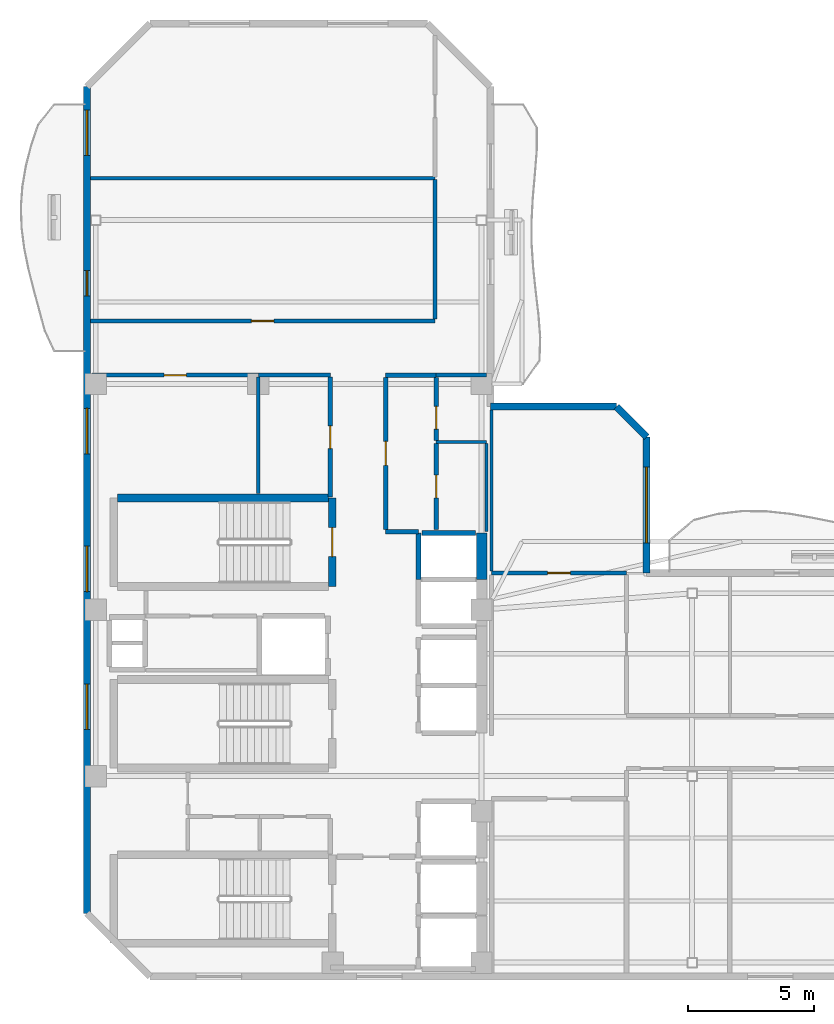
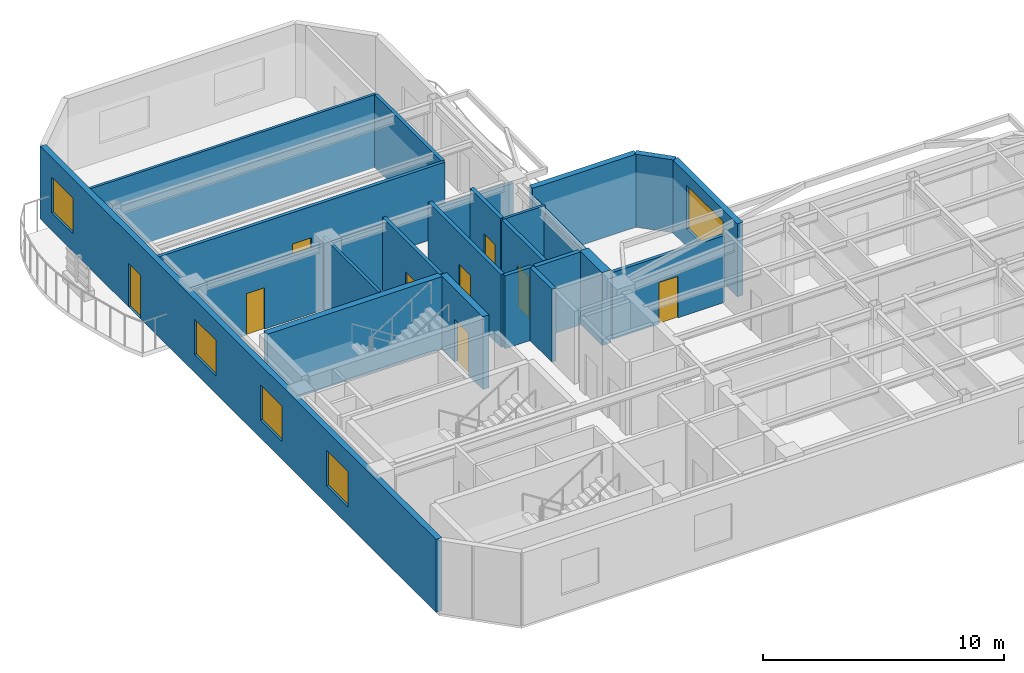
# One storey, part 4 of 8: 26 walls, 9 doors, 5 windows, 14 openings.
"""IFC4 building model written with IfcOpenShell, lengths in metres."""

from ifc_helpers import new_model, si_unit, direction, frame, frame_2d, origin, place, context, subcontext, project, spatial, rectangle, extrude, material, layer, layer_set, type_object, element, fill, save


model = new_model("IFC4")

# Units and contexts
model_context = context("Model", 3, precision=1e-05, world=origin(), true_north=direction((0.0, 1.0)))
body_context = subcontext(model_context, "Body", "Model", "MODEL_VIEW")
ifc_project = project(units=[si_unit("LENGTHUNIT", "METRE"), si_unit("AREAUNIT", "SQUARE_METRE"), si_unit("VOLUMEUNIT", "CUBIC_METRE"), si_unit("PLANEANGLEUNIT", "RADIAN"), si_unit("MASSUNIT", "GRAM", prefix="KILO")], contexts=[model_context])

# Site, building, storey
site_placement = place(None, origin())
site = spatial("IfcSite", under=ifc_project, at=site_placement, CompositionType="ELEMENT")
building_placement = place(site_placement, origin())
building = spatial("IfcBuilding", under=site, at=building_placement, Name="Mawjaban Terraces University", CompositionType="ELEMENT")
storey_placement = place(building_placement, frame((0.0, 0.0, 271.60009765625)))
storey = spatial("IfcBuildingStorey", under=building, at=storey_placement, Name="L66", CompositionType="ELEMENT", Elevation=271.60009765625)

# Walls
ifc_material_1 = material(Name="Acoustic masonry blockwork", Category="masonry")
ifc_layer_1 = layer(ifc_material_1, 0.179931640625)
ifc_layer_set_1 = layer_set([ifc_layer_1], Name="Acoustic masonry blockwork")
wall_type_1 = type_object("IfcWallType", Name="AcousticStudioWall_180", PredefinedType="PARTITIONING", material=ifc_layer_set_1)
wall_1_placement = place(storey_placement, frame((33.85009765625, 17.64990234375, 0.0), z_axis=(0.0, 0.0, 1.0), x_axis=(1.0, 0.0, 0.0)))
element("IfcWall", 1, at=wall_1_placement, inside=storey, type_object=wall_type_1, Name="L66 Graduate Research Collaboration Studio Partition 8", PredefinedType="PARTITIONING", context=body_context, shape_type="SweptSolid", body=[
    extrude(rectangle(XDim=1.2998046875, YDim=0.179931640625, at=frame_2d((0.64990234375, 0.0))), origin(), (0.0, 0.0, 1.0), 3.68994140625),
])
wall_2_placement = place(storey_placement, frame((35.85009765625, 23.85009765625, 0.0), z_axis=(0.0, 0.0, 1.0), x_axis=(-1.0, 0.0, 0.0)))
element("IfcWall", 2, at=wall_2_placement, inside=storey, type_object=wall_type_1, Name="L66 Graduate Research Collaboration Studio Partition 13", PredefinedType="PARTITIONING", context=body_context, shape_type="SweptSolid", body=[
    extrude(rectangle(XDim=2.0, YDim=0.179931640625, at=frame_2d((1.0, 0.0))), origin(), (0.0, 0.0, 1.0), 3.220947265625),
])

# Wall, opening, door
wall_3_placement = place(storey_placement, frame((33.85009765625, 17.735107421875, 0.0), z_axis=(0.0, 0.0, 1.0), x_axis=(0.0, 1.0, 0.0)))
wall_3 = element("IfcWall", 3, at=wall_3_placement, inside=storey, type_object=wall_type_1, Name="L66 Core North Lift Lobby Partition 32", PredefinedType="PARTITIONING", context=body_context, shape_type="SweptSolid", body=[
    extrude(rectangle(XDim=6.02978515625, YDim=0.179931640625, at=frame_2d((3.014892578125, 0.0))), origin(), (0.0, 0.0, 1.0), 3.68994140625),
])
opening_1_placement = place(wall_3_placement, frame((2.5400390625, 0.0, 0.0)))
opening_1 = element("IfcOpeningElement", 4, at=opening_1_placement, cuts=wall_3, Name="Opening ID-095", PredefinedType="OPENING", context=body_context, shape_type="SweptSolid", body=[
    extrude(rectangle(XDim=0.949951171875, YDim=2.10009765625, at=frame_2d((0.47509765625, 1.050048828125))), frame((0.0, 0.099853515625, 0.0), z_axis=(0.0, -1.0, 0.0), x_axis=(1.0, 0.0, 0.0)), (0.0, 0.0, 1.0), 0.199951171875),
])
ifc_material_2 = material(Name="Powder-coated steel frame and solid acoustic timber leaf", Category="steel")
door_type_1 = type_object("IfcDoorType", Name="StudioDoor_950x2100", OperationType="NOTDEFINED", PredefinedType="DOOR", material=ifc_material_2)
door_1_placement = place(opening_1_placement, origin())
door_1 = element("IfcDoor", 5, at=door_1_placement, inside=storey, type_object=door_type_1, Name="L66 Graduate Research Collaboration Studio Door", OperationType="SINGLE_SWING_RIGHT", OverallHeight=2.10009765625, OverallWidth=0.949951171875, PredefinedType="DOOR", context=body_context, shape_type="SweptSolid", body=[
    extrude(rectangle(XDim=0.949951171875, YDim=2.10009765625, at=frame_2d((0.47509765625, 1.050048828125))), frame((0.0, 0.02490234375, 0.0), z_axis=(0.0, -1.0, 0.0), x_axis=(1.0, 0.0, 0.0)), (0.0, 0.0, 1.0), 0.050048828125),
])
fill(opening_1, door_1)

wall_4_placement = place(storey_placement, frame((35.85009765625, 17.72998046875, 0.0), z_axis=(0.0, 0.0, 1.0), x_axis=(0.0, 1.0, 0.0)))
wall_4 = element("IfcWall", 6, at=wall_4_placement, inside=storey, type_object=wall_type_1, Name="L66 Graduate Research Collaboration Studio Partition 35", PredefinedType="PARTITIONING", context=body_context, shape_type="SweptSolid", body=[
    extrude(rectangle(XDim=3.412109375, YDim=0.179931640625, at=frame_2d((1.7060546875, 0.0))), origin(), (0.0, 0.0, 1.0), 3.68994140625),
])
opening_2_placement = place(wall_4_placement, frame((1.256103515625, 0.0, 0.0)))
opening_2 = element("IfcOpeningElement", 7, at=opening_2_placement, cuts=wall_4, Name="Opening ID-090", PredefinedType="OPENING", context=body_context, shape_type="SweptSolid", body=[
    extrude(rectangle(XDim=0.89990234375, YDim=2.10009765625, at=frame_2d((0.449951171875, 1.050048828125))), frame((0.0, 0.099853515625, 0.0), z_axis=(0.0, -1.0, 0.0), x_axis=(1.0, 0.0, 0.0)), (0.0, 0.0, 1.0), 0.199951171875),
])
door_type_2 = type_object("IfcDoorType", Name="OfficeDoor_900x2100", OperationType="NOTDEFINED", PredefinedType="DOOR", material=ifc_material_2)
door_2_placement = place(opening_2_placement, origin())
door_2 = element("IfcDoor", 8, at=door_2_placement, inside=storey, type_object=door_type_2, Name="L66 Research Instrument Store Door", OperationType="SINGLE_SWING_RIGHT", OverallHeight=2.10009765625, OverallWidth=0.89990234375, PredefinedType="DOOR", context=body_context, shape_type="SweptSolid", body=[
    extrude(rectangle(XDim=0.89990234375, YDim=2.10009765625, at=frame_2d((0.449951171875, 1.050048828125))), frame((0.0, 0.02490234375, 0.0), z_axis=(0.0, -1.0, 0.0), x_axis=(1.0, 0.0, 0.0)), (0.0, 0.0, 1.0), 0.050048828125),
])
fill(opening_2, door_2)

wall_5_placement = place(storey_placement, frame((35.85009765625, 21.258056640625, 0.0), z_axis=(0.0, 0.0, 1.0), x_axis=(0.0, 1.0, 0.0)))
wall_5 = element("IfcWall", 9, at=wall_5_placement, inside=storey, type_object=wall_type_1, Name="L66 Graduate Research Collaboration Studio Partition 36", PredefinedType="PARTITIONING", context=body_context, shape_type="SweptSolid", body=[
    extrude(rectangle(XDim=2.5068359375, YDim=0.179931640625, at=frame_2d((1.25341796875, 0.0))), origin(), (0.0, 0.0, 1.0), 3.68994140625),
])
opening_3_placement = place(wall_5_placement, frame((0.4541015625, 0.0, 0.0)))
opening_3 = element("IfcOpeningElement", 10, at=opening_3_placement, cuts=wall_5, Name="Opening ID-090", PredefinedType="OPENING", context=body_context, shape_type="SweptSolid", body=[
    extrude(rectangle(XDim=0.89990234375, YDim=2.10009765625, at=frame_2d((0.449951171875, 1.050048828125))), frame((0.0, 0.099853515625, 0.0), z_axis=(0.0, -1.0, 0.0), x_axis=(1.0, 0.0, 0.0)), (0.0, 0.0, 1.0), 0.199951171875),
])
door_3_placement = place(opening_3_placement, origin())
door_3 = element("IfcDoor", 11, at=door_3_placement, inside=storey, type_object=door_type_2, Name="L66 Graduate Quiet Study Alcove Door", OperationType="SINGLE_SWING_LEFT", OverallHeight=2.10009765625, OverallWidth=0.89990234375, PredefinedType="DOOR", context=body_context, shape_type="SweptSolid", body=[
    extrude(rectangle(XDim=0.89990234375, YDim=2.10009765625, at=frame_2d((0.449951171875, 1.050048828125))), frame((0.0, 0.02490234375, 0.0), z_axis=(0.0, -1.0, 0.0), x_axis=(1.0, 0.0, 0.0)), (0.0, 0.0, 1.0), 0.050048828125),
])
fill(opening_3, door_3)

# Wall
ifc_material_3 = material(Name="Concrete C50/60", Category="concrete")
ifc_layer_2 = layer(ifc_material_3, 0.419921875)
ifc_layer_set_2 = layer_set([ifc_layer_2], Name="Concrete C50/60")
wall_type_2 = type_object("IfcWallType", Name="CoreShearWall_420", PredefinedType="SHEAR", material=ifc_layer_set_2)
wall_6_placement = place(storey_placement, frame((37.659912109375, 15.75, 0.0), z_axis=(0.0, 0.0, 1.0), x_axis=(0.0, 1.0, 0.0)))
element("IfcWall", 12, at=wall_6_placement, inside=storey, type_object=wall_type_2, Name="L66 Lift OL-2 Hoistway Wall East", PredefinedType="SHEAR", context=body_context, shape_type="SweptSolid", body=[
    extrude(rectangle(XDim=1.85009765625, YDim=0.419921875, at=frame_2d((0.925048828125, 0.0))), origin(), (0.0, 0.0, 1.0), 3.68994140625),
])

# Wall, opening, door
ifc_material_4 = material(Name="Fire-rated gypsum board on steel stud", Category="steel")
ifc_layer_3 = layer(ifc_material_4, 0.159912109375)
ifc_layer_set_3 = layer_set([ifc_layer_3], Name="Fire-rated gypsum board on steel stud")
wall_type_3 = type_object("IfcWallType", Name="CorridorPartition_160", PredefinedType="PARTITIONING", material=ifc_layer_set_3)
wall_7_placement = place(storey_placement, frame((28.800048828125, 23.85009765625, 0.0), z_axis=(0.0, 0.0, 1.0), x_axis=(-1.0, 0.0, 0.0)))
wall_7 = element("IfcWall", 13, at=wall_7_placement, inside=storey, type_object=wall_type_3, Name="L66 Female Toilet Partition 4", PredefinedType="PARTITIONING", context=body_context, shape_type="SweptSolid", body=[
    extrude(rectangle(XDim=6.60009765625, YDim=0.159912109375, at=frame_2d((3.300048828125, 0.0))), origin(), (0.0, 0.0, 1.0), 3.220947265625),
])
opening_4_placement = place(wall_7_placement, frame((2.860107421875, 0.0, 0.0)))
opening_4 = element("IfcOpeningElement", 14, at=opening_4_placement, cuts=wall_7, Name="Opening ID-088", PredefinedType="OPENING", context=body_context, shape_type="SweptSolid", body=[
    extrude(rectangle(XDim=0.8798828125, YDim=2.10009765625, at=frame_2d((0.43994140625, 1.050048828125))), frame((0.0, 0.08984375, 0.0), z_axis=(0.0, -1.0, 0.0), x_axis=(1.0, 0.0, 0.0)), (0.0, 0.0, 1.0), 0.179931640625),
])
door_type_3 = type_object("IfcDoorType", Name="ToiletDoor_880x2100", OperationType="NOTDEFINED", PredefinedType="DOOR", material=ifc_material_2)
door_4_placement = place(opening_4_placement, origin())
door_4 = element("IfcDoor", 15, at=door_4_placement, inside=storey, type_object=door_type_3, Name="L66 Female Toilet Door", OperationType="SINGLE_SWING_RIGHT", OverallHeight=2.10009765625, OverallWidth=0.8798828125, PredefinedType="DOOR", context=body_context, shape_type="SweptSolid", body=[
    extrude(rectangle(XDim=0.8798828125, YDim=2.10009765625, at=frame_2d((0.43994140625, 1.050048828125))), frame((0.0, 0.02490234375, 0.0), z_axis=(0.0, -1.0, 0.0), x_axis=(1.0, 0.0, 0.0)), (0.0, 0.0, 1.0), 0.050048828125),
])
fill(opening_4, door_4)

# Wall
wall_8_placement = place(storey_placement, frame((31.64990234375, 23.85009765625, 0.0), z_axis=(0.0, 0.0, 1.0), x_axis=(-1.0, 0.0, 0.0)))
element("IfcWall", 16, at=wall_8_placement, inside=storey, type_object=wall_type_3, Name="L66 Faculty Academic Resource Office Partition 7", PredefinedType="PARTITIONING", context=body_context, shape_type="SweptSolid", body=[
    extrude(rectangle(XDim=2.849853515625, YDim=0.159912109375, at=frame_2d((1.4248046875, 0.0))), origin(), (0.0, 0.0, 1.0), 3.220947265625),
])

# Wall, opening, door
wall_9_placement = place(storey_placement, frame((35.800048828125, 26.0, 0.0), z_axis=(0.0, 0.0, 1.0), x_axis=(-1.0, 0.0, 0.0)))
wall_9 = element("IfcWall", 17, at=wall_9_placement, inside=storey, type_object=wall_type_3, Name="L66 North Core Cross-Corridor Partition 10", PredefinedType="PARTITIONING", context=body_context, shape_type="SweptSolid", body=[
    extrude(rectangle(XDim=13.6669921875, YDim=0.159912109375, at=frame_2d((6.83349609375, 0.0))), origin(), (0.0, 0.0, 1.0), 3.68994140625),
])
opening_5_placement = place(wall_9_placement, frame((6.383056640625, 0.0, 0.0)))
opening_5 = element("IfcOpeningElement", 18, at=opening_5_placement, cuts=wall_9, Name="Opening ID-090", PredefinedType="OPENING", context=body_context, shape_type="SweptSolid", body=[
    extrude(rectangle(XDim=0.89990234375, YDim=2.10009765625, at=frame_2d((0.449951171875, 1.050048828125))), frame((0.0, 0.08984375, 0.0), z_axis=(0.0, -1.0, 0.0), x_axis=(1.0, 0.0, 0.0)), (0.0, 0.0, 1.0), 0.179931640625),
])
door_5_placement = place(opening_5_placement, origin())
door_5 = element("IfcDoor", 19, at=door_5_placement, inside=storey, type_object=door_type_2, Name="L66 Seminar Room 10 Door", OperationType="SINGLE_SWING_RIGHT", OverallHeight=2.10009765625, OverallWidth=0.89990234375, PredefinedType="DOOR", context=body_context, shape_type="SweptSolid", body=[
    extrude(rectangle(XDim=0.89990234375, YDim=2.10009765625, at=frame_2d((0.449951171875, 1.050048828125))), frame((0.0, 0.02490234375, 0.0), z_axis=(0.0, -1.0, 0.0), x_axis=(1.0, 0.0, 0.0)), (0.0, 0.0, 1.0), 0.050048828125),
])
fill(opening_5, door_5)

# Wall
wall_10_placement = place(storey_placement, frame((37.85009765625, 23.85009765625, 0.0), z_axis=(0.0, 0.0, 1.0), x_axis=(-1.0, 0.0, 0.0)))
element("IfcWall", 20, at=wall_10_placement, inside=storey, type_object=wall_type_3, Name="L66 Graduate Quiet Study Alcove Partition 14", PredefinedType="PARTITIONING", context=body_context, shape_type="SweptSolid", body=[
    extrude(rectangle(XDim=2.0, YDim=0.159912109375, at=frame_2d((1.0, 0.0))), origin(), (0.0, 0.0, 1.0), 3.220947265625),
])

# Wall, opening, door
wall_11_placement = place(storey_placement, frame((43.39990234375, 16.0, 0.0), z_axis=(0.0, 0.0, 1.0), x_axis=(-1.0, 0.0, 0.0)))
wall_11 = element("IfcWall", 21, at=wall_11_placement, inside=storey, type_object=wall_type_3, Name="L66 Upper Research Hub Concourse Partition 17", PredefinedType="PARTITIONING", context=body_context, shape_type="SweptSolid", body=[
    extrude(rectangle(XDim=5.349853515625, YDim=0.159912109375, at=frame_2d((2.6748046875, 0.0))), origin(), (0.0, 0.0, 1.0), 3.389892578125),
])
opening_6_placement = place(wall_11_placement, frame((2.22509765625, 0.0, 0.0)))
opening_6 = element("IfcOpeningElement", 22, at=opening_6_placement, cuts=wall_11, Name="Opening ID-090", PredefinedType="OPENING", context=body_context, shape_type="SweptSolid", body=[
    extrude(rectangle(XDim=0.89990234375, YDim=2.10009765625, at=frame_2d((0.449951171875, 1.050048828125))), frame((0.0, 0.08984375, 0.0), z_axis=(0.0, -1.0, 0.0), x_axis=(1.0, 0.0, 0.0)), (0.0, 0.0, 1.0), 0.179931640625),
])
door_6_placement = place(opening_6_placement, origin())
door_6 = element("IfcDoor", 23, at=door_6_placement, inside=storey, type_object=door_type_2, Name="L66 Terrace Collaborative Study Room Door", OperationType="SINGLE_SWING_RIGHT", OverallHeight=2.10009765625, OverallWidth=0.89990234375, PredefinedType="DOOR", context=body_context, shape_type="SweptSolid", body=[
    extrude(rectangle(XDim=0.89990234375, YDim=2.10009765625, at=frame_2d((0.449951171875, 1.050048828125))), frame((0.0, 0.02490234375, 0.0), z_axis=(0.0, -1.0, 0.0), x_axis=(1.0, 0.0, 0.0)), (0.0, 0.0, 1.0), 0.050048828125),
])
fill(opening_6, door_6)

wall_12_placement = place(storey_placement, frame((31.64990234375, 19.010009765625, 0.0), z_axis=(0.0, 0.0, 1.0), x_axis=(0.0, 1.0, 0.0)))
wall_12 = element("IfcWall", 24, at=wall_12_placement, inside=storey, type_object=wall_type_3, Name="L66 Faculty Academic Resource Office Partition 31", PredefinedType="PARTITIONING", context=body_context, shape_type="SweptSolid", body=[
    extrude(rectangle(XDim=4.764892578125, YDim=0.159912109375, at=frame_2d((2.38232421875, 0.0))), origin(), (0.0, 0.0, 1.0), 3.68994140625),
])
opening_7_placement = place(wall_12_placement, frame((1.931884765625, 0.0, 0.0)))
opening_7 = element("IfcOpeningElement", 25, at=opening_7_placement, cuts=wall_12, Name="Opening ID-090", PredefinedType="OPENING", context=body_context, shape_type="SweptSolid", body=[
    extrude(rectangle(XDim=0.89990234375, YDim=2.10009765625, at=frame_2d((0.449951171875, 1.050048828125))), frame((0.0, 0.08984375, 0.0), z_axis=(0.0, -1.0, 0.0), x_axis=(1.0, 0.0, 0.0)), (0.0, 0.0, 1.0), 0.179931640625),
])
door_7_placement = place(opening_7_placement, origin())
door_7 = element("IfcDoor", 26, at=door_7_placement, inside=storey, type_object=door_type_2, Name="L66 Faculty Academic Resource Office Door", OperationType="SINGLE_SWING_LEFT", OverallHeight=2.10009765625, OverallWidth=0.89990234375, PredefinedType="DOOR", context=body_context, shape_type="SweptSolid", body=[
    extrude(rectangle(XDim=0.89990234375, YDim=2.10009765625, at=frame_2d((0.449951171875, 1.050048828125))), frame((0.0, 0.02490234375, 0.0), z_axis=(0.0, -1.0, 0.0), x_axis=(1.0, 0.0, 0.0)), (0.0, 0.0, 1.0), 0.050048828125),
])
fill(opening_7, door_7)

# Wall
wall_13_placement = place(storey_placement, frame((35.800048828125, 31.60205078125, 0.0), z_axis=(0.0, 0.0, 1.0), x_axis=(0.0, -1.0, 0.0)))
element("IfcWall", 27, at=wall_13_placement, inside=storey, type_object=wall_type_3, Name="L66 Upper North Research Gallery Partition 33", PredefinedType="PARTITIONING", context=body_context, shape_type="SweptSolid", body=[
    extrude(rectangle(XDim=5.527099609375, YDim=0.159912109375, at=frame_2d((2.763671875, 0.0))), origin(), (0.0, 0.0, 1.0), 3.68994140625),
])

# Wall, opening, window
ifc_material_5 = material(Name="Insulated terracotta rainscreen on concrete backup C40/50", Category="masonry")
ifc_layer_4 = layer(ifc_material_5, 0.27490234375)
ifc_layer_set_4 = layer_set([ifc_layer_4], Name="Insulated terracotta rainscreen on concrete backup C40/50")
wall_type_4 = type_object("IfcWallType", Name="ExtTerracottaWall_275", PredefinedType="SOLIDWALL", material=ifc_layer_set_4)
wall_14_placement = place(storey_placement, frame((44.199951171875, 16.0, 0.0), z_axis=(0.0, 0.0, 1.0), x_axis=(0.0, 1.0, 0.0)))
wall_14 = element("IfcWall", 28, at=wall_14_placement, inside=storey, type_object=wall_type_4, Name="L66 Exterior Terracotta Wall 6", PredefinedType="SOLIDWALL", context=body_context, shape_type="SweptSolid", body=[
    extrude(rectangle(XDim=5.39990234375, YDim=0.27490234375, at=frame_2d((2.699951171875, 0.0))), origin(), (0.0, 0.0, 1.0), 3.68994140625),
])
opening_8_placement = place(wall_14_placement, frame((1.199951171875, 0.0, 0.89990234375)))
opening_8 = element("IfcOpeningElement", 29, at=opening_8_placement, cuts=wall_14, Name="Opening W-12", PredefinedType="OPENING", context=body_context, shape_type="SweptSolid", body=[
    extrude(rectangle(XDim=3.0, YDim=2.199951171875, at=frame_2d((1.5, 1.10009765625))), frame((0.0, 0.1474609375, 0.0), z_axis=(0.0, -1.0, 0.0), x_axis=(1.0, 0.0, 0.0)), (0.0, 0.0, 1.0), 0.294921875),
])
ifc_material_6 = material(Name="Low-E solar-control double glazing in thermally broken aluminium frame", Category="aluminium")
window_type_1 = type_object("IfcWindowType", Name="Win_3000x2200", PartitioningType="SINGLE_PANEL", PredefinedType="WINDOW", material=ifc_material_6)
window_1_placement = place(opening_8_placement, origin())
window_1 = element("IfcWindow", 30, at=window_1_placement, inside=storey, type_object=window_type_1, Name="L66 Facade Window 6.1", OverallHeight=2.199951171875, OverallWidth=3.0, PartitioningType="SINGLE_PANEL", PredefinedType="WINDOW", context=body_context, shape_type="SweptSolid", body=[
    extrude(rectangle(XDim=3.0, YDim=2.199951171875, at=frame_2d((1.5, 1.10009765625))), frame((0.0, 0.030029296875, 0.0), z_axis=(0.0, -1.0, 0.0), x_axis=(1.0, 0.0, 0.0)), (0.0, 0.0, 1.0), 0.06005859375),
])
fill(opening_8, window_1)

# Walls
wall_15_placement = place(storey_placement, frame((44.199951171875, 21.39990234375, 0.0), z_axis=(0.0, 0.0, 1.0), x_axis=(-0.707034851297, 0.707178703759, 0.0)))
element("IfcWall", 31, at=wall_15_placement, inside=storey, type_object=wall_type_4, Name="L66 Exterior Terracotta Wall 7", PredefinedType="SOLIDWALL", context=body_context, shape_type="SweptSolid", body=[
    extrude(rectangle(XDim=1.697265625, YDim=0.27490234375, at=frame_2d((0.8486328125, 0.0))), origin(), (0.0, 0.0, 1.0), 3.68994140625),
])
wall_16_placement = place(storey_placement, frame((43.0, 22.60009765625, 0.0), z_axis=(0.0, 0.0, 1.0), x_axis=(-1.0, 0.0, 0.0)))
element("IfcWall", 32, at=wall_16_placement, inside=storey, type_object=wall_type_4, Name="L66 Exterior Terracotta Wall 8", PredefinedType="SOLIDWALL", context=body_context, shape_type="SweptSolid", body=[
    extrude(rectangle(XDim=5.0, YDim=0.27490234375, at=frame_2d((2.5, 0.0))), origin(), (0.0, 0.0, 1.0), 3.68994140625),
])

# Wall, openings, door, windows
wall_17_placement = place(storey_placement, frame((22.0, 35.300048828125, 0.0), z_axis=(0.0, 0.0, 1.0), x_axis=(0.0, -1.0, 0.0)))
wall_17 = element("IfcWall", 33, at=wall_17_placement, inside=storey, type_object=wall_type_4, Name="L66 Exterior Terracotta Wall 13", PredefinedType="SOLIDWALL", context=body_context, shape_type="SweptSolid", body=[
    extrude(rectangle(XDim=32.800048828125, YDim=0.27490234375, at=frame_2d((16.39990234375, 0.0))), origin(), (0.0, 0.0, 1.0), 3.68994140625),
])
opening_9_placement = place(wall_17_placement, frame((7.300048828125, 0.0, 0.0)))
opening_9 = element("IfcOpeningElement", 34, at=opening_9_placement, cuts=wall_17, Name="Opening BD-100", PredefinedType="OPENING", context=body_context, shape_type="SweptSolid", body=[
    extrude(rectangle(XDim=1.0, YDim=2.199951171875, at=frame_2d((0.5, 1.10009765625))), frame((0.0, 0.1474609375, 0.0), z_axis=(0.0, -1.0, 0.0), x_axis=(1.0, 0.0, 0.0)), (0.0, 0.0, 1.0), 0.294921875),
])
opening_10_placement = place(wall_17_placement, frame((0.93310546875, 0.0, 0.89990234375)))
opening_10 = element("IfcOpeningElement", 35, at=opening_10_placement, cuts=wall_17, Name="Opening W-07", PredefinedType="OPENING", context=body_context, shape_type="SweptSolid", body=[
    extrude(rectangle(XDim=1.800048828125, YDim=1.800048828125, at=frame_2d((0.89990234375, 0.89990234375))), frame((0.0, 0.1474609375, 0.0), z_axis=(0.0, -1.0, 0.0), x_axis=(1.0, 0.0, 0.0)), (0.0, 0.0, 1.0), 0.294921875),
])
opening_11_placement = place(wall_17_placement, frame((12.76708984375, 0.0, 0.89990234375)))
opening_11 = element("IfcOpeningElement", 36, at=opening_11_placement, cuts=wall_17, Name="Opening W-07", PredefinedType="OPENING", context=body_context, shape_type="SweptSolid", body=[
    extrude(rectangle(XDim=1.800048828125, YDim=1.800048828125, at=frame_2d((0.89990234375, 0.89990234375))), frame((0.0, 0.1474609375, 0.0), z_axis=(0.0, -1.0, 0.0), x_axis=(1.0, 0.0, 0.0)), (0.0, 0.0, 1.0), 0.294921875),
])
opening_12_placement = place(wall_17_placement, frame((18.23291015625, 0.0, 0.89990234375)))
opening_12 = element("IfcOpeningElement", 37, at=opening_12_placement, cuts=wall_17, Name="Opening W-07", PredefinedType="OPENING", context=body_context, shape_type="SweptSolid", body=[
    extrude(rectangle(XDim=1.800048828125, YDim=1.800048828125, at=frame_2d((0.89990234375, 0.89990234375))), frame((0.0, 0.1474609375, 0.0), z_axis=(0.0, -1.0, 0.0), x_axis=(1.0, 0.0, 0.0)), (0.0, 0.0, 1.0), 0.294921875),
])
opening_13_placement = place(wall_17_placement, frame((23.699951171875, 0.0, 0.89990234375)))
opening_13 = element("IfcOpeningElement", 38, at=opening_13_placement, cuts=wall_17, Name="Opening W-07", PredefinedType="OPENING", context=body_context, shape_type="SweptSolid", body=[
    extrude(rectangle(XDim=1.800048828125, YDim=1.800048828125, at=frame_2d((0.89990234375, 0.89990234375))), frame((0.0, 0.1474609375, 0.0), z_axis=(0.0, -1.0, 0.0), x_axis=(1.0, 0.0, 0.0)), (0.0, 0.0, 1.0), 0.294921875),
])
ifc_material_7 = material(Name="Thermally broken anodised aluminium and laminated safety glass", Category="aluminium")
door_type_4 = type_object("IfcDoorType", Name="BalconyGlazedDoor_1000x2200", OperationType="NOTDEFINED", PredefinedType="DOOR", material=ifc_material_7)
door_8_placement = place(opening_9_placement, origin())
door_8 = element("IfcDoor", 39, at=door_8_placement, inside=storey, type_object=door_type_4, Name="L66 Balcony Access Door west", OperationType="SINGLE_SWING_LEFT", OverallHeight=2.199951171875, OverallWidth=1.0, PredefinedType="DOOR", context=body_context, shape_type="SweptSolid", body=[
    extrude(rectangle(XDim=1.0, YDim=2.199951171875, at=frame_2d((0.5, 1.10009765625))), frame((0.0, 0.02490234375, 0.0), z_axis=(0.0, -1.0, 0.0), x_axis=(1.0, 0.0, 0.0)), (0.0, 0.0, 1.0), 0.050048828125),
])
fill(opening_9, door_8)
window_type_2 = type_object("IfcWindowType", Name="Win_1800x1800", PartitioningType="SINGLE_PANEL", PredefinedType="WINDOW", material=ifc_material_6)
window_2_placement = place(opening_10_placement, origin())
window_2 = element("IfcWindow", 40, at=window_2_placement, inside=storey, type_object=window_type_2, Name="L66 Facade Window 13.1", OverallHeight=1.800048828125, OverallWidth=1.800048828125, PartitioningType="SINGLE_PANEL", PredefinedType="WINDOW", context=body_context, shape_type="SweptSolid", body=[
    extrude(rectangle(XDim=1.800048828125, YDim=1.800048828125, at=frame_2d((0.89990234375, 0.89990234375))), frame((0.0, 0.030029296875, 0.0), z_axis=(0.0, -1.0, 0.0), x_axis=(1.0, 0.0, 0.0)), (0.0, 0.0, 1.0), 0.06005859375),
])
fill(opening_10, window_2)
window_3_placement = place(opening_11_placement, origin())
window_3 = element("IfcWindow", 41, at=window_3_placement, inside=storey, type_object=window_type_2, Name="L66 Facade Window 13.3", OverallHeight=1.800048828125, OverallWidth=1.800048828125, PartitioningType="SINGLE_PANEL", PredefinedType="WINDOW", context=body_context, shape_type="SweptSolid", body=[
    extrude(rectangle(XDim=1.800048828125, YDim=1.800048828125, at=frame_2d((0.89990234375, 0.89990234375))), frame((0.0, 0.030029296875, 0.0), z_axis=(0.0, -1.0, 0.0), x_axis=(1.0, 0.0, 0.0)), (0.0, 0.0, 1.0), 0.06005859375),
])
fill(opening_11, window_3)
window_4_placement = place(opening_12_placement, origin())
window_4 = element("IfcWindow", 42, at=window_4_placement, inside=storey, type_object=window_type_2, Name="L66 Facade Window 13.4", OverallHeight=1.800048828125, OverallWidth=1.800048828125, PartitioningType="SINGLE_PANEL", PredefinedType="WINDOW", context=body_context, shape_type="SweptSolid", body=[
    extrude(rectangle(XDim=1.800048828125, YDim=1.800048828125, at=frame_2d((0.89990234375, 0.89990234375))), frame((0.0, 0.030029296875, 0.0), z_axis=(0.0, -1.0, 0.0), x_axis=(1.0, 0.0, 0.0)), (0.0, 0.0, 1.0), 0.06005859375),
])
fill(opening_12, window_4)
window_5_placement = place(opening_13_placement, origin())
window_5 = element("IfcWindow", 43, at=window_5_placement, inside=storey, type_object=window_type_2, Name="L66 Facade Window 13.5", OverallHeight=1.800048828125, OverallWidth=1.800048828125, PartitioningType="SINGLE_PANEL", PredefinedType="WINDOW", context=body_context, shape_type="SweptSolid", body=[
    extrude(rectangle(XDim=1.800048828125, YDim=1.800048828125, at=frame_2d((0.89990234375, 0.89990234375))), frame((0.0, 0.030029296875, 0.0), z_axis=(0.0, -1.0, 0.0), x_axis=(1.0, 0.0, 0.0)), (0.0, 0.0, 1.0), 0.06005859375),
])
fill(opening_13, window_5)

# Walls
ifc_material_8 = material(Name="Concrete C40/50", Category="concrete")
ifc_layer_5 = layer(ifc_material_8, 0.199951171875)
ifc_layer_set_5 = layer_set([ifc_layer_5], Name="Concrete C40/50")
wall_type_5 = type_object("IfcWallType", Name="FireLobbyWall_200", PredefinedType="SOLIDWALL", material=ifc_layer_set_5)
wall_18_placement = place(storey_placement, frame((35.14990234375, 17.60009765625, 0.0), z_axis=(0.0, 0.0, 1.0), x_axis=(0.0, -1.0, 0.0)))
element("IfcWall", 44, at=wall_18_placement, inside=storey, type_object=wall_type_5, Name="L66 Lift OL-2 Hoistway Wall West", PredefinedType="SOLIDWALL", context=body_context, shape_type="SweptSolid", body=[
    extrude(rectangle(XDim=1.85009765625, YDim=0.199951171875, at=frame_2d((0.925048828125, 0.0))), origin(), (0.0, 0.0, 1.0), 3.68994140625),
])
wall_19_placement = place(storey_placement, frame((37.419921875, 17.60009765625, 0.0), z_axis=(0.0, 0.0, 1.0), x_axis=(-1.0, 0.0, 0.0)))
element("IfcWall", 45, at=wall_19_placement, inside=storey, type_object=wall_type_5, Name="L66 Lift OL-2 Hoistway Wall North", PredefinedType="SOLIDWALL", context=body_context, shape_type="SweptSolid", body=[
    extrude(rectangle(XDim=2.139892578125, YDim=0.199951171875, at=frame_2d((1.06982421875, 0.0))), origin(), (0.0, 0.0, 1.0), 3.68994140625),
])
ifc_material_9 = material(Name="Gypsum plasterboard on steel stud", Category="steel")
ifc_layer_6 = layer(ifc_material_9, 0.125)
ifc_layer_set_6 = layer_set([ifc_layer_6], Name="Gypsum plasterboard on steel stud")
wall_type_6 = type_object("IfcWallType", Name="OfficePartition_125", PredefinedType="PARTITIONING", material=ifc_layer_set_6)
wall_20_placement = place(storey_placement, frame((35.800048828125, 31.659912109375, 0.0), z_axis=(0.0, 0.0, 1.0), x_axis=(-1.0, 0.0, 0.0)))
element("IfcWall", 46, at=wall_20_placement, inside=storey, type_object=wall_type_6, Name="L66 Seminar Room 10 Partition 11", PredefinedType="PARTITIONING", context=body_context, shape_type="SweptSolid", body=[
    extrude(rectangle(XDim=13.6669921875, YDim=0.125, at=frame_2d((6.83349609375, 0.0))), origin(), (0.0, 0.0, 1.0), 3.68994140625),
])
wall_21_placement = place(storey_placement, frame((35.85009765625, 21.199951171875, 0.0), z_axis=(0.0, 0.0, 1.0), x_axis=(1.0, 0.0, 0.0)))
element("IfcWall", 47, at=wall_21_placement, inside=storey, type_object=wall_type_6, Name="L66 Graduate Quiet Study Alcove Partition 12", PredefinedType="PARTITIONING", context=body_context, shape_type="SweptSolid", body=[
    extrude(rectangle(XDim=2.0, YDim=0.125, at=frame_2d((1.0, 0.0))), origin(), (0.0, 0.0, 1.0), 3.68994140625),
])
wall_22_placement = place(storey_placement, frame((37.85009765625, 17.64990234375, 0.0), z_axis=(0.0, 0.0, 1.0), x_axis=(0.0, 1.0, 0.0)))
element("IfcWall", 48, at=wall_22_placement, inside=storey, type_object=wall_type_6, Name="L66 Research Instrument Store Partition 37", PredefinedType="PARTITIONING", context=body_context, shape_type="SweptSolid", body=[
    extrude(rectangle(XDim=3.4921875, YDim=0.125, at=frame_2d((1.74609375, 0.0))), origin(), (0.0, 0.0, 1.0), 3.220947265625),
])
wall_23_placement = place(storey_placement, frame((38.050048828125, 22.468017578125, 0.0), z_axis=(0.0, 0.0, 1.0), x_axis=(0.0, -1.0, 0.0)))
element("IfcWall", 49, at=wall_23_placement, inside=storey, type_object=wall_type_6, Name="L66 Terrace Collaborative Study Room Partition 40", PredefinedType="PARTITIONING", context=body_context, shape_type="SweptSolid", body=[
    extrude(rectangle(XDim=6.39306640625, YDim=0.125, at=frame_2d((3.196533203125, 0.0))), origin(), (0.0, 0.0, 1.0), 3.220947265625),
])
ifc_material_10 = material(Name="Concrete C60/75", Category="concrete")
ifc_layer_7 = layer(ifc_material_10, 0.300048828125)
ifc_layer_set_7 = layer_set([ifc_layer_7], Name="Concrete C60/75")
wall_type_7 = type_object("IfcWallType", Name="StairShaftWall_300", PredefinedType="SHEAR", material=ifc_layer_set_7)
wall_24_placement = place(storey_placement, frame((31.580078125, 18.97998046875, 0.0), z_axis=(0.0, 0.0, 1.0), x_axis=(-1.0, 0.0, 0.0)))
element("IfcWall", 50, at=wall_24_placement, inside=storey, type_object=wall_type_7, Name="L66 ST-2 Stair Shaft Wall 1", PredefinedType="SHEAR", context=body_context, shape_type="SweptSolid", body=[
    extrude(rectangle(XDim=8.360107421875, YDim=0.300048828125, at=frame_2d((4.18017578125, 0.0))), origin(), (0.0, 0.0, 1.0), 3.68994140625),
])

# Wall, opening, door
wall_25_placement = place(storey_placement, frame((31.72998046875, 15.469970703125, 0.0), z_axis=(0.0, 0.0, 1.0), x_axis=(0.0, 1.0, 0.0)))
wall_25 = element("IfcWall", 51, at=wall_25_placement, inside=storey, type_object=wall_type_7, Name="L66 ST-2 Stair Shaft Wall 4", PredefinedType="SHEAR", context=body_context, shape_type="SweptSolid", body=[
    extrude(rectangle(XDim=3.510009765625, YDim=0.300048828125, at=frame_2d((1.7548828125, 0.0))), origin(), (0.0, 0.0, 1.0), 3.68994140625),
])
opening_14_placement = place(wall_25_placement, frame((1.179931640625, 0.0, 0.0)))
opening_14 = element("IfcOpeningElement", 52, at=opening_14_placement, cuts=wall_25, Name="Opening FD-115", PredefinedType="OPENING", context=body_context, shape_type="SweptSolid", body=[
    extrude(rectangle(XDim=1.14990234375, YDim=2.14990234375, at=frame_2d((0.574951171875, 1.074951171875))), frame((0.0, 0.159912109375, 0.0), z_axis=(0.0, -1.0, 0.0), x_axis=(1.0, 0.0, 0.0)), (0.0, 0.0, 1.0), 0.320068359375),
])
ifc_material_11 = material(Name="Powder-coated steel frame and fire-rated steel-faced leaf", Category="steel")
door_type_5 = type_object("IfcDoorType", Name="FireStairDoor_1150x2150", OperationType="NOTDEFINED", PredefinedType="DOOR", material=ifc_material_11)
door_9_placement = place(opening_14_placement, origin())
door_9 = element("IfcDoor", 53, at=door_9_placement, inside=storey, type_object=door_type_5, Name="L66 ST-2 Pressurised Stair Fire Door", OperationType="SINGLE_SWING_LEFT", OverallHeight=2.14990234375, OverallWidth=1.14990234375, PredefinedType="DOOR", context=body_context, shape_type="SweptSolid", body=[
    extrude(rectangle(XDim=1.14990234375, YDim=2.14990234375, at=frame_2d((0.574951171875, 1.074951171875))), frame((0.0, 0.02490234375, 0.0), z_axis=(0.0, -1.0, 0.0), x_axis=(1.0, 0.0, 0.0)), (0.0, 0.0, 1.0), 0.050048828125),
])
fill(opening_14, door_9)

# Wall
ifc_material_12 = material(Name="Cement-board wet-room partition", Category="masonry")
ifc_layer_8 = layer(ifc_material_12, 0.135009765625)
ifc_layer_set_8 = layer_set([ifc_layer_8], Name="Cement-board wet-room partition")
wall_type_8 = type_object("IfcWallType", Name="WetRoomPartition_135", PredefinedType="PARTITIONING", material=ifc_layer_set_8)
wall_26_placement = place(storey_placement, frame((28.800048828125, 23.77490234375, 0.0), z_axis=(0.0, 0.0, 1.0), x_axis=(0.0, -1.0, 0.0)))
element("IfcWall", 54, at=wall_26_placement, inside=storey, type_object=wall_type_8, Name="L66 Faculty Academic Resource Office Partition 28", PredefinedType="PARTITIONING", context=body_context, shape_type="SweptSolid", body=[
    extrude(rectangle(XDim=4.614990234375, YDim=0.135009765625, at=frame_2d((2.3076171875, 0.0))), origin(), (0.0, 0.0, 1.0), 3.68994140625),
])

save(model, "model.ifc")
